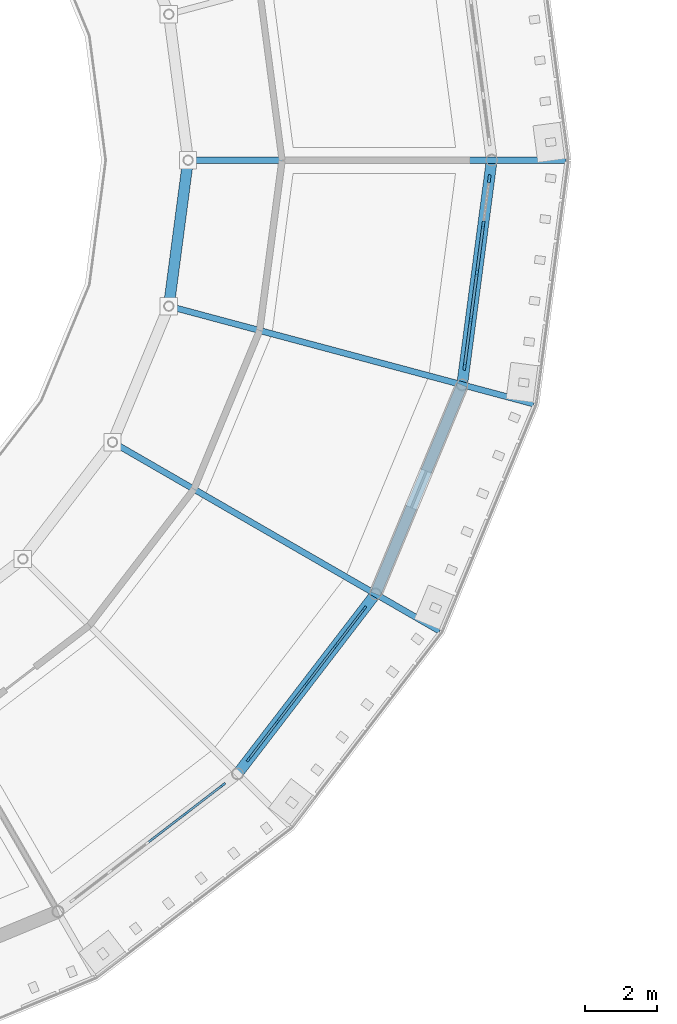
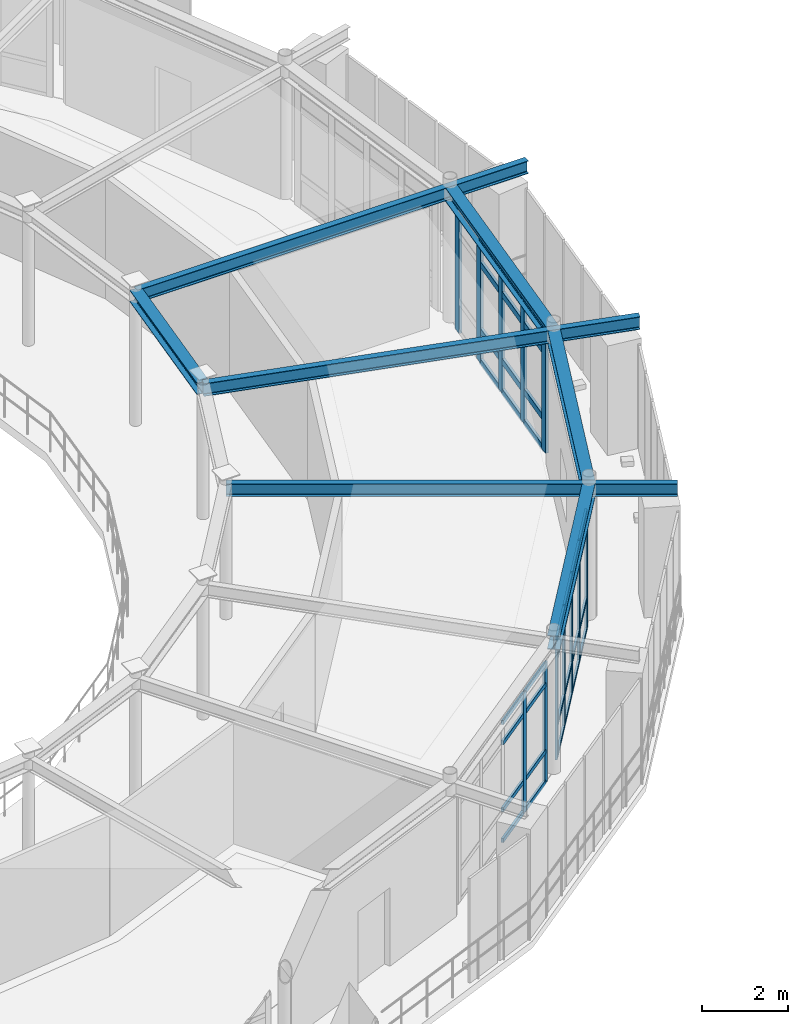
# One storey, part 26 of 70: 48 members, 7 beams, 3 elements without a shape of their own.
"""IFC4 building model written with IfcOpenShell, lengths in metres."""

from ifc_helpers import new_model, si_unit, derived_unit, direction, frame, origin, origin_2d, place, context, subcontext, project, spatial, rectangle, i_section, extrude, material, layer, layer_set, material_profile, profile_set, type_object, element, aggregate, save


model = new_model("IFC4")

# Units and contexts
model_context = context("Model", 3, precision=1e-05, world=origin(), true_north=direction((0.0, 1.0)))
body_context = subcontext(model_context, "Body", "Model", "MODEL_VIEW")
ifc_project = project(units=[si_unit("LENGTHUNIT", "METRE"), si_unit("AREAUNIT", "SQUARE_METRE"), si_unit("VOLUMEUNIT", "CUBIC_METRE"), si_unit("PLANEANGLEUNIT", "RADIAN"), si_unit("MASSUNIT", "GRAM", prefix="KILO"), derived_unit("THERMALTRANSMITTANCEUNIT", [(si_unit("POWERUNIT", "WATT"), 1), (si_unit("AREAUNIT", "SQUARE_METRE"), -1), (si_unit("THERMODYNAMICTEMPERATUREUNIT", "KELVIN"), -1)])], contexts=[model_context])

# Site, building, storey
site_placement = place(None, origin())
site = spatial("IfcSite", under=ifc_project, at=site_placement, CompositionType="ELEMENT")
building_placement = place(site_placement, origin())
building = spatial("IfcBuilding", under=site, at=building_placement, Name="Yasenodar Specialist Clinic", CompositionType="ELEMENT")
storey_placement = place(building_placement, frame((0.0, 0.0, 13.199951171875)))
storey = spatial("IfcBuildingStorey", under=building, at=storey_placement, Name="L03", CompositionType="ELEMENT", Elevation=13.199951171875)

# Beams
ifc_material_1 = material(Name="Steel S355", Category="steel")
ifc_material_profile_1 = material_profile(ifc_material_1, i_section(OverallWidth=0.300048828125, OverallDepth=0.330078125, WebThickness=0.009521484375, FlangeThickness=0.0166015625, FilletRadius=0.027099609375, at=origin_2d()), Name="HEA 340")
ifc_profile_set_1 = profile_set([ifc_material_profile_1], Name="Steel S355")
beam_type_1 = type_object("IfcBeamType", Name="BM-HEA340", PredefinedType="BEAM", material=ifc_profile_set_1)
beam_1_placement = place(storey_placement, frame((96.068359375, 54.762451171875, 3.635009765625), z_axis=(0.130569268018, 0.991439189385, 0.0), x_axis=(-0.991439189385, 0.130569268018, 0.0)))
element("IfcBeam", 1, at=beam_1_placement, inside=storey, type_object=beam_type_1, Name="L03 Drum V1 Inner Ring Beam", PredefinedType="BEAM", context=body_context, shape_type="SweptSolid", body=[
    extrude(i_section(OverallWidth=0.300048828125, OverallDepth=0.330078125, WebThickness=0.009521484375, FlangeThickness=0.0166015625, FilletRadius=0.027099609375, at=origin_2d()), origin(), (0.0, 0.0, 1.0), 4.072509765625),
])
ifc_material_profile_2 = material_profile(ifc_material_1, i_section(OverallWidth=0.300048828125, OverallDepth=0.389892578125, WebThickness=0.010986328125, FlangeThickness=0.01904296875, FilletRadius=0.027099609375, at=origin_2d()), Name="HEA 400")
ifc_profile_set_2 = profile_set([ifc_material_profile_2], Name="Steel S355")
beam_type_2 = type_object("IfcBeamType", Name="BM-HEA400", PredefinedType="BEAM", material=ifc_profile_set_2)
beam_2_placement = place(storey_placement, frame((97.970703125, 41.829345703125, 3.60498046875), z_axis=(0.608742360322, 0.793367971845, 0.0), x_axis=(-0.793367971845, 0.608742360322, 0.0)))
element("IfcBeam", 2, at=beam_2_placement, inside=storey, type_object=beam_type_2, Name="L03 Drum V1 Perimeter Ring Beam", PredefinedType="BEAM", context=body_context, shape_type="SweptSolid", body=[
    extrude(i_section(OverallWidth=0.300048828125, OverallDepth=0.389892578125, WebThickness=0.010986328125, FlangeThickness=0.01904296875, FilletRadius=0.027099609375, at=origin_2d()), origin(), (0.0, 0.0, 1.0), 6.265380859375),
])
beam_3_placement = place(storey_placement, frame((101.78466796875, 46.800048828125, 3.60498046875), z_axis=(0.382663829839, 0.9238876519, 0.0), x_axis=(-0.9238876519, 0.382663829839, 0.0)))
element("IfcBeam", 3, at=beam_3_placement, inside=storey, type_object=beam_type_2, Name="L03 Drum V1 Perimeter Ring Beam", PredefinedType="BEAM", context=body_context, shape_type="SweptSolid", body=[
    extrude(i_section(OverallWidth=0.300048828125, OverallDepth=0.389892578125, WebThickness=0.010986328125, FlangeThickness=0.01904296875, FilletRadius=0.027099609375, at=origin_2d()), origin(), (0.0, 0.0, 1.0), 6.26513671875),
])
beam_4_placement = place(storey_placement, frame((104.18212890625, 52.58837890625, 3.60498046875), z_axis=(0.130540192224, 0.991443018138, 0.0), x_axis=(-0.991443018138, 0.130540192224, 0.0)))
element("IfcBeam", 4, at=beam_4_placement, inside=storey, type_object=beam_type_2, Name="L03 Drum V1 Perimeter Ring Beam", PredefinedType="BEAM", context=body_context, shape_type="SweptSolid", body=[
    extrude(i_section(OverallWidth=0.300048828125, OverallDepth=0.389892578125, WebThickness=0.010986328125, FlangeThickness=0.01904296875, FilletRadius=0.027099609375, at=origin_2d()), origin(), (0.0, 0.0, 1.0), 6.265380859375),
])
ifc_material_profile_3 = material_profile(ifc_material_1, i_section(OverallWidth=0.169921875, OverallDepth=0.360107421875, WebThickness=0.008056640625, FlangeThickness=0.0126953125, FilletRadius=0.01806640625, at=origin_2d()), Name="IPE 360")
ifc_profile_set_3 = profile_set([ifc_material_profile_3], Name="Steel S355")
beam_type_3 = type_object("IfcBeamType", Name="BM-IPE360", PredefinedType="BEAM", material=ifc_profile_set_3)
beam_5_placement = place(storey_placement, frame((96.60009765625, 58.800048828125, 3.6201171875), z_axis=(1.0, 0.0, 0.0), x_axis=(0.0, 1.0, 0.0)))
element("IfcBeam", 5, at=beam_5_placement, inside=storey, type_object=beam_type_3, Name="L03 Drum V1 Radial Back-Spanned Cantilever Beam", PredefinedType="BEAM", context=body_context, shape_type="SweptSolid", body=[
    extrude(i_section(OverallWidth=0.169921875, OverallDepth=0.360107421875, WebThickness=0.008056640625, FlangeThickness=0.0126953125, FilletRadius=0.01806640625, at=origin_2d()), origin(), (0.0, 0.0, 1.0), 10.449951171875),
])
beam_6_placement = place(storey_placement, frame((94.510009765625, 51.0, 3.6201171875), z_axis=(0.86602335148, -0.500003554679, 0.0), x_axis=(0.500003554679, 0.86602335148, 0.0)))
element("IfcBeam", 6, at=beam_6_placement, inside=storey, type_object=beam_type_3, Name="L03 Drum V1 Radial Back-Spanned Cantilever Beam", PredefinedType="BEAM", context=body_context, shape_type="SweptSolid", body=[
    extrude(i_section(OverallWidth=0.169921875, OverallDepth=0.360107421875, WebThickness=0.008056640625, FlangeThickness=0.0126953125, FilletRadius=0.01806640625, at=origin_2d()), origin(), (0.0, 0.0, 1.0), 10.4501953125),
])
beam_7_placement = place(storey_placement, frame((96.068359375, 54.762451171875, 3.6201171875), z_axis=(0.965927925162, -0.258811211874, 0.0), x_axis=(0.258811211874, 0.965927925162, 0.0)))
element("IfcBeam", 7, at=beam_7_placement, inside=storey, type_object=beam_type_3, Name="L03 Drum V1 Radial Back-Spanned Cantilever Beam", PredefinedType="BEAM", context=body_context, shape_type="SweptSolid", body=[
    extrude(i_section(OverallWidth=0.169921875, OverallDepth=0.360107421875, WebThickness=0.008056640625, FlangeThickness=0.0126953125, FilletRadius=0.01806640625, at=origin_2d()), origin(), (0.0, 0.0, 1.0), 10.449951171875),
])

# Curtain wall, members
ifc_material_2 = material(Name="Bronze Anodized Aluminium and Triple Low-E Glass", Category="aluminium")
ifc_layer = layer(ifc_material_2, 0.1669921875)
ifc_layer_set = layer_set([ifc_layer], Name="Bronze Anodized Aluminium and Triple Low-E Glass")
curtain_wall_type = type_object("IfcCurtainWallType", Name="CW-SYS-01", PredefinedType="USERDEFINED", material=ifc_layer_set)
curtain_wall_1_placement = place(storey_placement, origin())
curtain_wall_1 = element("IfcCurtainWall", 8, at=curtain_wall_1_placement, inside=storey, type_object=curtain_wall_type, Name="L03 Unitised Curtain Wall 053", ObjectType="UNITISED CURTAIN WALL", PredefinedType="USERDEFINED")
ifc_material_3 = material(Name="Bronze Anodized Aluminium", Category="aluminium")
ifc_material_profile_4 = material_profile(ifc_material_3, rectangle(XDim=0.06005859375, YDim=0.159912109375, at=origin_2d()), Name="CW-MULL 60x160")
ifc_profile_set_4 = profile_set([ifc_material_profile_4], Name="Bronze Anodized Aluminium")
member_type_1 = type_object("IfcMemberType", Name="CW-MULL-160", PredefinedType="MULLION", material=ifc_profile_set_4)
member_1_placement = place(storey_placement, frame((97.56591796875, 41.51904296875, 0.0), z_axis=(0.0, 0.0, 1.0), x_axis=(0.608752021844, -0.793360558574, 0.0)))
member_1 = element("IfcMember", 9, at=member_1_placement, type_object=member_type_1, Name="CW-01 mullion 1", PredefinedType="MULLION", context=body_context, shape_type="SweptSolid", body=[
    extrude(rectangle(XDim=0.06005859375, YDim=0.159912109375, at=origin_2d()), origin(), (0.0, 0.0, 1.0), 3.387939453125),
])
member_2_placement = place(storey_placement, frame((96.53759765625, 40.729736328125, 0.0), z_axis=(0.0, 0.0, 1.0), x_axis=(0.608752021844, -0.793360558574, 0.0)))
member_2 = element("IfcMember", 10, at=member_2_placement, type_object=member_type_1, Name="CW-01 mullion 2", PredefinedType="MULLION", context=body_context, shape_type="SweptSolid", body=[
    extrude(rectangle(XDim=0.06005859375, YDim=0.159912109375, at=origin_2d()), origin(), (0.0, 0.0, 1.0), 3.387939453125),
])

curtain_wall_2_placement = place(storey_placement, origin())
curtain_wall_2 = element("IfcCurtainWall", 11, at=curtain_wall_2_placement, inside=storey, type_object=curtain_wall_type, Name="L03 Unitised Curtain Wall 054", ObjectType="UNITISED CURTAIN WALL", PredefinedType="USERDEFINED")
member_3_placement = place(storey_placement, frame((101.47412109375, 46.3955078125, 0.0), z_axis=(0.0, 0.0, 1.0), x_axis=(0.793360558574, -0.608752021844, 0.0)))
member_3 = element("IfcMember", 12, at=member_3_placement, type_object=member_type_1, Name="CW-01 mullion 1", PredefinedType="MULLION", context=body_context, shape_type="SweptSolid", body=[
    extrude(rectangle(XDim=0.06005859375, YDim=0.159912109375, at=origin_2d()), origin(), (0.0, 0.0, 1.0), 3.387939453125),
])
member_4_placement = place(storey_placement, frame((100.68505859375, 45.366943359375, 0.0), z_axis=(0.0, 0.0, 1.0), x_axis=(0.793360558574, -0.608752021844, 0.0)))
member_4 = element("IfcMember", 13, at=member_4_placement, type_object=member_type_1, Name="CW-01 mullion 2", PredefinedType="MULLION", context=body_context, shape_type="SweptSolid", body=[
    extrude(rectangle(XDim=0.06005859375, YDim=0.159912109375, at=origin_2d()), origin(), (0.0, 0.0, 1.0), 3.387939453125),
])
member_5_placement = place(storey_placement, frame((99.877685546875, 44.314697265625, 0.0), z_axis=(0.0, 0.0, 1.0), x_axis=(0.793360558574, -0.608752021844, 0.0)))
member_5 = element("IfcMember", 14, at=member_5_placement, type_object=member_type_1, Name="CW-01 mullion 3", PredefinedType="MULLION", context=body_context, shape_type="SweptSolid", body=[
    extrude(rectangle(XDim=0.06005859375, YDim=0.159912109375, at=origin_2d()), origin(), (0.0, 0.0, 1.0), 3.387939453125),
])
member_6_placement = place(storey_placement, frame((99.0703125, 43.262451171875, 0.0), z_axis=(0.0, 0.0, 1.0), x_axis=(0.793360558574, -0.608752021844, 0.0)))
member_6 = element("IfcMember", 15, at=member_6_placement, type_object=member_type_1, Name="CW-01 mullion 4", PredefinedType="MULLION", context=body_context, shape_type="SweptSolid", body=[
    extrude(rectangle(XDim=0.06005859375, YDim=0.159912109375, at=origin_2d()), origin(), (0.0, 0.0, 1.0), 3.387939453125),
])
member_7_placement = place(storey_placement, frame((98.281005859375, 42.23388671875, 0.0), z_axis=(0.0, 0.0, 1.0), x_axis=(0.793360558574, -0.608752021844, 0.0)))
member_7 = element("IfcMember", 16, at=member_7_placement, type_object=member_type_1, Name="CW-01 mullion 5", PredefinedType="MULLION", context=body_context, shape_type="SweptSolid", body=[
    extrude(rectangle(XDim=0.06005859375, YDim=0.159912109375, at=origin_2d()), origin(), (0.0, 0.0, 1.0), 3.387939453125),
])

curtain_wall_3_placement = place(storey_placement, origin())
curtain_wall_3 = element("IfcCurtainWall", 17, at=curtain_wall_3_placement, inside=storey, type_object=curtain_wall_type, Name="L03 Unitised Curtain Wall 055", ObjectType="UNITISED CURTAIN WALL", PredefinedType="USERDEFINED")
ifc_material_profile_5 = material_profile(ifc_material_3, rectangle(XDim=0.074951171875, YDim=0.22509765625, at=origin_2d()), Name="CW-MULL 75x225")
ifc_profile_set_5 = profile_set([ifc_material_profile_5], Name="Bronze Anodized Aluminium")
member_type_2 = type_object("IfcMemberType", Name="CW-MULL-225", PredefinedType="MULLION", material=ifc_profile_set_5)
member_8_placement = place(storey_placement, frame((104.932373046875, 58.286865234375, 0.0), z_axis=(0.0, 0.0, 1.0), x_axis=(0.991446787601, -0.13051156024, 0.0)))
member_8 = element("IfcMember", 18, at=member_8_placement, type_object=member_type_2, Name="CW-01 mullion 1", PredefinedType="MULLION", context=body_context, shape_type="SweptSolid", body=[
    extrude(rectangle(XDim=0.074951171875, YDim=0.22509765625, at=origin_2d()), origin(), (0.0, 0.0, 1.0), 3.387939453125),
])
member_9_placement = place(storey_placement, frame((104.76416015625, 57.009033203125, 0.0), z_axis=(0.0, 0.0, 1.0), x_axis=(0.991446787601, -0.13051156024, 0.0)))
member_9 = element("IfcMember", 19, at=member_9_placement, type_object=member_type_2, Name="CW-01 mullion 2", PredefinedType="MULLION", context=body_context, shape_type="SweptSolid", body=[
    extrude(rectangle(XDim=0.074951171875, YDim=0.22509765625, at=origin_2d()), origin(), (0.0, 0.0, 1.0), 3.387939453125),
])
member_10_placement = place(storey_placement, frame((104.591064453125, 55.694091796875, 0.0), z_axis=(0.0, 0.0, 1.0), x_axis=(0.991446787601, -0.13051156024, 0.0)))
member_10 = element("IfcMember", 20, at=member_10_placement, type_object=member_type_2, Name="CW-01 mullion 3", PredefinedType="MULLION", context=body_context, shape_type="SweptSolid", body=[
    extrude(rectangle(XDim=0.074951171875, YDim=0.22509765625, at=origin_2d()), origin(), (0.0, 0.0, 1.0), 3.387939453125),
])
member_11_placement = place(storey_placement, frame((104.41796875, 54.379150390625, 0.0), z_axis=(0.0, 0.0, 1.0), x_axis=(0.991446787601, -0.13051156024, 0.0)))
member_11 = element("IfcMember", 21, at=member_11_placement, type_object=member_type_2, Name="CW-01 mullion 4", PredefinedType="MULLION", context=body_context, shape_type="SweptSolid", body=[
    extrude(rectangle(XDim=0.074951171875, YDim=0.22509765625, at=origin_2d()), origin(), (0.0, 0.0, 1.0), 3.387939453125),
])
member_12_placement = place(storey_placement, frame((104.249755859375, 53.101318359375, 0.0), z_axis=(0.0, 0.0, 1.0), x_axis=(0.991446787601, -0.13051156024, 0.0)))
member_12 = element("IfcMember", 22, at=member_12_placement, type_object=member_type_2, Name="CW-01 mullion 5", PredefinedType="MULLION", context=body_context, shape_type="SweptSolid", body=[
    extrude(rectangle(XDim=0.074951171875, YDim=0.22509765625, at=origin_2d()), origin(), (0.0, 0.0, 1.0), 3.387939453125),
])

# Member
ifc_material_profile_6 = material_profile(ifc_material_3, rectangle(XDim=0.06005859375, YDim=0.1201171875, at=origin_2d()), Name="CW-TRAN 60x120")
ifc_profile_set_6 = profile_set([ifc_material_profile_6], Name="Bronze Anodized Aluminium")
member_type_3 = type_object("IfcMemberType", Name="CW-TRAN-120", PredefinedType="USERDEFINED", material=ifc_profile_set_6)
member_13_placement = place(storey_placement, frame((97.542236328125, 41.500732421875, 0.030029296875), z_axis=(-0.793364768151, -0.608746535642, 0.0), x_axis=(0.608746535642, -0.793364768151, 0.0)))
member_13 = element("IfcMember", 23, at=member_13_placement, type_object=member_type_3, Name="CW-01 transom 1.1", ObjectType="TRANSOM", PredefinedType="USERDEFINED", context=body_context, shape_type="SweptSolid", body=[
    extrude(rectangle(XDim=0.06005859375, YDim=0.1201171875, at=origin_2d()), origin(), (0.0, 0.0, 1.0), 1.236572265625),
])

member_14_placement = place(storey_placement, frame((97.542236328125, 41.500732421875, 0.900146484375), z_axis=(-0.793364768151, -0.608746535642, 0.0), x_axis=(0.608746535642, -0.793364768151, 0.0)))
member_14 = element("IfcMember", 24, at=member_14_placement, type_object=member_type_3, Name="CW-01 transom 1.2", ObjectType="TRANSOM", PredefinedType="USERDEFINED", context=body_context, shape_type="SweptSolid", body=[
    extrude(rectangle(XDim=0.06005859375, YDim=0.1201171875, at=origin_2d()), origin(), (0.0, 0.0, 1.0), 1.236572265625),
])

member_15_placement = place(storey_placement, frame((97.542236328125, 41.500732421875, 2.7880859375), z_axis=(-0.793364768151, -0.608746535642, 0.0), x_axis=(0.608746535642, -0.793364768151, 0.0)))
member_15 = element("IfcMember", 25, at=member_15_placement, type_object=member_type_3, Name="CW-01 transom 1.3", ObjectType="TRANSOM", PredefinedType="USERDEFINED", context=body_context, shape_type="SweptSolid", body=[
    extrude(rectangle(XDim=0.06005859375, YDim=0.1201171875, at=origin_2d()), origin(), (0.0, 0.0, 1.0), 1.236572265625),
])

member_16_placement = place(storey_placement, frame((97.542236328125, 41.500732421875, 3.358154296875), z_axis=(-0.793364768151, -0.608746535642, 0.0), x_axis=(0.608746535642, -0.793364768151, 0.0)))
member_16 = element("IfcMember", 26, at=member_16_placement, type_object=member_type_3, Name="CW-01 transom 1.4", ObjectType="TRANSOM", PredefinedType="USERDEFINED", context=body_context, shape_type="SweptSolid", body=[
    extrude(rectangle(XDim=0.06005859375, YDim=0.1201171875, at=origin_2d()), origin(), (0.0, 0.0, 1.0), 1.236572265625),
])

member_17_placement = place(storey_placement, frame((96.513671875, 40.71142578125, 0.030029296875), z_axis=(-0.793404604701, -0.608694614104, 0.0), x_axis=(0.608694614104, -0.793404604701, 0.0)))
member_17 = element("IfcMember", 27, at=member_17_placement, type_object=member_type_3, Name="CW-01 transom 2.1", ObjectType="TRANSOM", PredefinedType="USERDEFINED", context=body_context, shape_type="SweptSolid", body=[
    extrude(rectangle(XDim=0.06005859375, YDim=0.1201171875, at=origin_2d()), origin(), (0.0, 0.0, 1.0), 1.266357421875),
])

member_18_placement = place(storey_placement, frame((96.513671875, 40.71142578125, 0.900146484375), z_axis=(-0.793404604701, -0.608694614104, 0.0), x_axis=(0.608694614104, -0.793404604701, 0.0)))
member_18 = element("IfcMember", 28, at=member_18_placement, type_object=member_type_3, Name="CW-01 transom 2.2", ObjectType="TRANSOM", PredefinedType="USERDEFINED", context=body_context, shape_type="SweptSolid", body=[
    extrude(rectangle(XDim=0.06005859375, YDim=0.1201171875, at=origin_2d()), origin(), (0.0, 0.0, 1.0), 1.266357421875),
])

member_19_placement = place(storey_placement, frame((96.513671875, 40.71142578125, 2.7880859375), z_axis=(-0.793404604701, -0.608694614104, 0.0), x_axis=(0.608694614104, -0.793404604701, 0.0)))
member_19 = element("IfcMember", 29, at=member_19_placement, type_object=member_type_3, Name="CW-01 transom 2.3", ObjectType="TRANSOM", PredefinedType="USERDEFINED", context=body_context, shape_type="SweptSolid", body=[
    extrude(rectangle(XDim=0.06005859375, YDim=0.1201171875, at=origin_2d()), origin(), (0.0, 0.0, 1.0), 1.266357421875),
])

member_20_placement = place(storey_placement, frame((96.513671875, 40.71142578125, 3.358154296875), z_axis=(-0.793404604701, -0.608694614104, 0.0), x_axis=(0.608694614104, -0.793404604701, 0.0)))
member_20 = element("IfcMember", 30, at=member_20_placement, type_object=member_type_3, Name="CW-01 transom 2.4", ObjectType="TRANSOM", PredefinedType="USERDEFINED", context=body_context, shape_type="SweptSolid", body=[
    extrude(rectangle(XDim=0.06005859375, YDim=0.1201171875, at=origin_2d()), origin(), (0.0, 0.0, 1.0), 1.266357421875),
])

aggregate(curtain_wall_1, [member_1, member_2, member_13, member_14, member_15, member_16, member_17, member_18, member_19, member_20])

member_21_placement = place(storey_placement, frame((101.455810546875, 46.37158203125, 0.030029296875), z_axis=(-0.608717606417, -0.793386964626, 0.0), x_axis=(0.793386964626, -0.608717606417, 0.0)))
member_21 = element("IfcMember", 31, at=member_21_placement, type_object=member_type_3, Name="CW-01 transom 1.1", ObjectType="TRANSOM", PredefinedType="USERDEFINED", context=body_context, shape_type="SweptSolid", body=[
    extrude(rectangle(XDim=0.06005859375, YDim=0.1201171875, at=origin_2d()), origin(), (0.0, 0.0, 1.0), 1.236083984375),
])

member_22_placement = place(storey_placement, frame((101.455810546875, 46.37158203125, 0.900146484375), z_axis=(-0.608717606417, -0.793386964626, 0.0), x_axis=(0.793386964626, -0.608717606417, 0.0)))
member_22 = element("IfcMember", 32, at=member_22_placement, type_object=member_type_3, Name="CW-01 transom 1.2", ObjectType="TRANSOM", PredefinedType="USERDEFINED", context=body_context, shape_type="SweptSolid", body=[
    extrude(rectangle(XDim=0.06005859375, YDim=0.1201171875, at=origin_2d()), origin(), (0.0, 0.0, 1.0), 1.236083984375),
])

member_23_placement = place(storey_placement, frame((101.455810546875, 46.37158203125, 2.7880859375), z_axis=(-0.608717606417, -0.793386964626, 0.0), x_axis=(0.793386964626, -0.608717606417, 0.0)))
member_23 = element("IfcMember", 33, at=member_23_placement, type_object=member_type_3, Name="CW-01 transom 1.3", ObjectType="TRANSOM", PredefinedType="USERDEFINED", context=body_context, shape_type="SweptSolid", body=[
    extrude(rectangle(XDim=0.06005859375, YDim=0.1201171875, at=origin_2d()), origin(), (0.0, 0.0, 1.0), 1.236083984375),
])

member_24_placement = place(storey_placement, frame((101.455810546875, 46.37158203125, 3.358154296875), z_axis=(-0.608717606417, -0.793386964626, 0.0), x_axis=(0.793386964626, -0.608717606417, 0.0)))
member_24 = element("IfcMember", 34, at=member_24_placement, type_object=member_type_3, Name="CW-01 transom 1.4", ObjectType="TRANSOM", PredefinedType="USERDEFINED", context=body_context, shape_type="SweptSolid", body=[
    extrude(rectangle(XDim=0.06005859375, YDim=0.1201171875, at=origin_2d()), origin(), (0.0, 0.0, 1.0), 1.236083984375),
])

member_25_placement = place(storey_placement, frame((100.666748046875, 45.34326171875, 0.030029296875), z_axis=(-0.608722862036, -0.793382932281, 0.0), x_axis=(0.793382932281, -0.608722862036, 0.0)))
member_25 = element("IfcMember", 35, at=member_25_placement, type_object=member_type_3, Name="CW-01 transom 2.1", ObjectType="TRANSOM", PredefinedType="USERDEFINED", context=body_context, shape_type="SweptSolid", body=[
    extrude(rectangle(XDim=0.06005859375, YDim=0.1201171875, at=origin_2d()), origin(), (0.0, 0.0, 1.0), 1.2666015625),
])

member_26_placement = place(storey_placement, frame((100.666748046875, 45.34326171875, 0.900146484375), z_axis=(-0.608722862036, -0.793382932281, 0.0), x_axis=(0.793382932281, -0.608722862036, 0.0)))
member_26 = element("IfcMember", 36, at=member_26_placement, type_object=member_type_3, Name="CW-01 transom 2.2", ObjectType="TRANSOM", PredefinedType="USERDEFINED", context=body_context, shape_type="SweptSolid", body=[
    extrude(rectangle(XDim=0.06005859375, YDim=0.1201171875, at=origin_2d()), origin(), (0.0, 0.0, 1.0), 1.2666015625),
])

member_27_placement = place(storey_placement, frame((100.666748046875, 45.34326171875, 2.7880859375), z_axis=(-0.608722862036, -0.793382932281, 0.0), x_axis=(0.793382932281, -0.608722862036, 0.0)))
member_27 = element("IfcMember", 37, at=member_27_placement, type_object=member_type_3, Name="CW-01 transom 2.3", ObjectType="TRANSOM", PredefinedType="USERDEFINED", context=body_context, shape_type="SweptSolid", body=[
    extrude(rectangle(XDim=0.06005859375, YDim=0.1201171875, at=origin_2d()), origin(), (0.0, 0.0, 1.0), 1.2666015625),
])

member_28_placement = place(storey_placement, frame((100.666748046875, 45.34326171875, 3.358154296875), z_axis=(-0.608722862036, -0.793382932281, 0.0), x_axis=(0.793382932281, -0.608722862036, 0.0)))
member_28 = element("IfcMember", 38, at=member_28_placement, type_object=member_type_3, Name="CW-01 transom 2.4", ObjectType="TRANSOM", PredefinedType="USERDEFINED", context=body_context, shape_type="SweptSolid", body=[
    extrude(rectangle(XDim=0.06005859375, YDim=0.1201171875, at=origin_2d()), origin(), (0.0, 0.0, 1.0), 1.2666015625),
])

member_29_placement = place(storey_placement, frame((99.859375, 44.291015625, 0.030029296875), z_axis=(-0.608722862036, -0.793382932281, 0.0), x_axis=(0.793382932281, -0.608722862036, 0.0)))
member_29 = element("IfcMember", 39, at=member_29_placement, type_object=member_type_3, Name="CW-01 transom 3.1", ObjectType="TRANSOM", PredefinedType="USERDEFINED", context=body_context, shape_type="SweptSolid", body=[
    extrude(rectangle(XDim=0.06005859375, YDim=0.1201171875, at=origin_2d()), origin(), (0.0, 0.0, 1.0), 1.2666015625),
])

member_30_placement = place(storey_placement, frame((99.859375, 44.291015625, 0.900146484375), z_axis=(-0.608722862036, -0.793382932281, 0.0), x_axis=(0.793382932281, -0.608722862036, 0.0)))
member_30 = element("IfcMember", 40, at=member_30_placement, type_object=member_type_3, Name="CW-01 transom 3.2", ObjectType="TRANSOM", PredefinedType="USERDEFINED", context=body_context, shape_type="SweptSolid", body=[
    extrude(rectangle(XDim=0.06005859375, YDim=0.1201171875, at=origin_2d()), origin(), (0.0, 0.0, 1.0), 1.2666015625),
])

member_31_placement = place(storey_placement, frame((99.859375, 44.291015625, 2.7880859375), z_axis=(-0.608722862036, -0.793382932281, 0.0), x_axis=(0.793382932281, -0.608722862036, 0.0)))
member_31 = element("IfcMember", 41, at=member_31_placement, type_object=member_type_3, Name="CW-01 transom 3.3", ObjectType="TRANSOM", PredefinedType="USERDEFINED", context=body_context, shape_type="SweptSolid", body=[
    extrude(rectangle(XDim=0.06005859375, YDim=0.1201171875, at=origin_2d()), origin(), (0.0, 0.0, 1.0), 1.2666015625),
])

member_32_placement = place(storey_placement, frame((99.859375, 44.291015625, 3.358154296875), z_axis=(-0.608722862036, -0.793382932281, 0.0), x_axis=(0.793382932281, -0.608722862036, 0.0)))
member_32 = element("IfcMember", 42, at=member_32_placement, type_object=member_type_3, Name="CW-01 transom 3.4", ObjectType="TRANSOM", PredefinedType="USERDEFINED", context=body_context, shape_type="SweptSolid", body=[
    extrude(rectangle(XDim=0.06005859375, YDim=0.1201171875, at=origin_2d()), origin(), (0.0, 0.0, 1.0), 1.2666015625),
])

member_33_placement = place(storey_placement, frame((99.052001953125, 43.23876953125, 0.030029296875), z_axis=(-0.608746535642, -0.793364768151, 0.0), x_axis=(0.793364768151, -0.608746535642, 0.0)))
member_33 = element("IfcMember", 43, at=member_33_placement, type_object=member_type_3, Name="CW-01 transom 4.1", ObjectType="TRANSOM", PredefinedType="USERDEFINED", context=body_context, shape_type="SweptSolid", body=[
    extrude(rectangle(XDim=0.06005859375, YDim=0.1201171875, at=origin_2d()), origin(), (0.0, 0.0, 1.0), 1.236572265625),
])

member_34_placement = place(storey_placement, frame((99.052001953125, 43.23876953125, 0.900146484375), z_axis=(-0.608746535642, -0.793364768151, 0.0), x_axis=(0.793364768151, -0.608746535642, 0.0)))
member_34 = element("IfcMember", 44, at=member_34_placement, type_object=member_type_3, Name="CW-01 transom 4.2", ObjectType="TRANSOM", PredefinedType="USERDEFINED", context=body_context, shape_type="SweptSolid", body=[
    extrude(rectangle(XDim=0.06005859375, YDim=0.1201171875, at=origin_2d()), origin(), (0.0, 0.0, 1.0), 1.236572265625),
])

member_35_placement = place(storey_placement, frame((99.052001953125, 43.23876953125, 2.7880859375), z_axis=(-0.608746535642, -0.793364768151, 0.0), x_axis=(0.793364768151, -0.608746535642, 0.0)))
member_35 = element("IfcMember", 45, at=member_35_placement, type_object=member_type_3, Name="CW-01 transom 4.3", ObjectType="TRANSOM", PredefinedType="USERDEFINED", context=body_context, shape_type="SweptSolid", body=[
    extrude(rectangle(XDim=0.06005859375, YDim=0.1201171875, at=origin_2d()), origin(), (0.0, 0.0, 1.0), 1.236572265625),
])

member_36_placement = place(storey_placement, frame((99.052001953125, 43.23876953125, 3.358154296875), z_axis=(-0.608746535642, -0.793364768151, 0.0), x_axis=(0.793364768151, -0.608746535642, 0.0)))
member_36 = element("IfcMember", 46, at=member_36_placement, type_object=member_type_3, Name="CW-01 transom 4.4", ObjectType="TRANSOM", PredefinedType="USERDEFINED", context=body_context, shape_type="SweptSolid", body=[
    extrude(rectangle(XDim=0.06005859375, YDim=0.1201171875, at=origin_2d()), origin(), (0.0, 0.0, 1.0), 1.236572265625),
])

aggregate(curtain_wall_2, [member_3, member_4, member_5, member_6, member_7, member_21, member_22, member_23, member_24, member_25, member_26, member_27, member_28, member_29, member_30, member_31, member_32, member_33, member_34, member_35, member_36])

ifc_material_profile_7 = material_profile(ifc_material_3, rectangle(XDim=0.074951171875, YDim=0.175048828125, at=origin_2d()), Name="CW-TRAN 75x175")
ifc_profile_set_7 = profile_set([ifc_material_profile_7], Name="Bronze Anodized Aluminium")
member_type_4 = type_object("IfcMemberType", Name="CW-TRAN-175", PredefinedType="USERDEFINED", material=ifc_profile_set_7)
member_37_placement = place(storey_placement, frame((104.75927734375, 56.971923828125, 0.03759765625), z_axis=(-0.130540320379, -0.991443001264, 0.0), x_axis=(0.991443001264, -0.130540320379, 0.0)))
member_37 = element("IfcMember", 47, at=member_37_placement, type_object=member_type_4, Name="CW-01 transom 2.1", ObjectType="TRANSOM", PredefinedType="USERDEFINED", context=body_context, shape_type="SweptSolid", body=[
    extrude(rectangle(XDim=0.074951171875, YDim=0.175048828125, at=origin_2d()), origin(), (0.0, 0.0, 1.0), 1.251220703125),
])

member_38_placement = place(storey_placement, frame((104.75927734375, 56.971923828125, 0.900146484375), z_axis=(-0.130540320379, -0.991443001264, 0.0), x_axis=(0.991443001264, -0.130540320379, 0.0)))
member_38 = element("IfcMember", 48, at=member_38_placement, type_object=member_type_4, Name="CW-01 transom 2.2", ObjectType="TRANSOM", PredefinedType="USERDEFINED", context=body_context, shape_type="SweptSolid", body=[
    extrude(rectangle(XDim=0.074951171875, YDim=0.175048828125, at=origin_2d()), origin(), (0.0, 0.0, 1.0), 1.251220703125),
])

member_39_placement = place(storey_placement, frame((104.75927734375, 56.971923828125, 2.7880859375), z_axis=(-0.130540320379, -0.991443001264, 0.0), x_axis=(0.991443001264, -0.130540320379, 0.0)))
member_39 = element("IfcMember", 49, at=member_39_placement, type_object=member_type_4, Name="CW-01 transom 2.3", ObjectType="TRANSOM", PredefinedType="USERDEFINED", context=body_context, shape_type="SweptSolid", body=[
    extrude(rectangle(XDim=0.074951171875, YDim=0.175048828125, at=origin_2d()), origin(), (0.0, 0.0, 1.0), 1.251220703125),
])

member_40_placement = place(storey_placement, frame((104.75927734375, 56.971923828125, 3.3505859375), z_axis=(-0.130540320379, -0.991443001264, 0.0), x_axis=(0.991443001264, -0.130540320379, 0.0)))
member_40 = element("IfcMember", 50, at=member_40_placement, type_object=member_type_4, Name="CW-01 transom 2.4", ObjectType="TRANSOM", PredefinedType="USERDEFINED", context=body_context, shape_type="SweptSolid", body=[
    extrude(rectangle(XDim=0.074951171875, YDim=0.175048828125, at=origin_2d()), origin(), (0.0, 0.0, 1.0), 1.251220703125),
])

member_41_placement = place(storey_placement, frame((104.586181640625, 55.656982421875, 0.03759765625), z_axis=(-0.130515071174, -0.991446325424, 0.0), x_axis=(0.991446325424, -0.130515071174, 0.0)))
member_41 = element("IfcMember", 51, at=member_41_placement, type_object=member_type_4, Name="CW-01 transom 3.1", ObjectType="TRANSOM", PredefinedType="USERDEFINED", context=body_context, shape_type="SweptSolid", body=[
    extrude(rectangle(XDim=0.074951171875, YDim=0.175048828125, at=origin_2d()), origin(), (0.0, 0.0, 1.0), 1.25146484375),
])

member_42_placement = place(storey_placement, frame((104.586181640625, 55.656982421875, 0.900146484375), z_axis=(-0.130515071174, -0.991446325424, 0.0), x_axis=(0.991446325424, -0.130515071174, 0.0)))
member_42 = element("IfcMember", 52, at=member_42_placement, type_object=member_type_4, Name="CW-01 transom 3.2", ObjectType="TRANSOM", PredefinedType="USERDEFINED", context=body_context, shape_type="SweptSolid", body=[
    extrude(rectangle(XDim=0.074951171875, YDim=0.175048828125, at=origin_2d()), origin(), (0.0, 0.0, 1.0), 1.25146484375),
])

member_43_placement = place(storey_placement, frame((104.586181640625, 55.656982421875, 2.7880859375), z_axis=(-0.130515071174, -0.991446325424, 0.0), x_axis=(0.991446325424, -0.130515071174, 0.0)))
member_43 = element("IfcMember", 53, at=member_43_placement, type_object=member_type_4, Name="CW-01 transom 3.3", ObjectType="TRANSOM", PredefinedType="USERDEFINED", context=body_context, shape_type="SweptSolid", body=[
    extrude(rectangle(XDim=0.074951171875, YDim=0.175048828125, at=origin_2d()), origin(), (0.0, 0.0, 1.0), 1.25146484375),
])

member_44_placement = place(storey_placement, frame((104.586181640625, 55.656982421875, 3.3505859375), z_axis=(-0.130515071174, -0.991446325424, 0.0), x_axis=(0.991446325424, -0.130515071174, 0.0)))
member_44 = element("IfcMember", 54, at=member_44_placement, type_object=member_type_4, Name="CW-01 transom 3.4", ObjectType="TRANSOM", PredefinedType="USERDEFINED", context=body_context, shape_type="SweptSolid", body=[
    extrude(rectangle(XDim=0.074951171875, YDim=0.175048828125, at=origin_2d()), origin(), (0.0, 0.0, 1.0), 1.25146484375),
])

member_45_placement = place(storey_placement, frame((104.4130859375, 54.342041015625, 0.03759765625), z_axis=(-0.130542966465, -0.991442652858, 0.0), x_axis=(0.991442652858, -0.130542966465, 0.0)))
member_45 = element("IfcMember", 55, at=member_45_placement, type_object=member_type_4, Name="CW-01 transom 4.1", ObjectType="TRANSOM", PredefinedType="USERDEFINED", context=body_context, shape_type="SweptSolid", body=[
    extrude(rectangle(XDim=0.074951171875, YDim=0.175048828125, at=origin_2d()), origin(), (0.0, 0.0, 1.0), 1.2138671875),
])

member_46_placement = place(storey_placement, frame((104.4130859375, 54.342041015625, 0.900146484375), z_axis=(-0.130542966465, -0.991442652858, 0.0), x_axis=(0.991442652858, -0.130542966465, 0.0)))
member_46 = element("IfcMember", 56, at=member_46_placement, type_object=member_type_4, Name="CW-01 transom 4.2", ObjectType="TRANSOM", PredefinedType="USERDEFINED", context=body_context, shape_type="SweptSolid", body=[
    extrude(rectangle(XDim=0.074951171875, YDim=0.175048828125, at=origin_2d()), origin(), (0.0, 0.0, 1.0), 1.2138671875),
])

member_47_placement = place(storey_placement, frame((104.4130859375, 54.342041015625, 2.7880859375), z_axis=(-0.130542966465, -0.991442652858, 0.0), x_axis=(0.991442652858, -0.130542966465, 0.0)))
member_47 = element("IfcMember", 57, at=member_47_placement, type_object=member_type_4, Name="CW-01 transom 4.3", ObjectType="TRANSOM", PredefinedType="USERDEFINED", context=body_context, shape_type="SweptSolid", body=[
    extrude(rectangle(XDim=0.074951171875, YDim=0.175048828125, at=origin_2d()), origin(), (0.0, 0.0, 1.0), 1.2138671875),
])

member_48_placement = place(storey_placement, frame((104.4130859375, 54.342041015625, 3.3505859375), z_axis=(-0.130542966465, -0.991442652858, 0.0), x_axis=(0.991442652858, -0.130542966465, 0.0)))
member_48 = element("IfcMember", 58, at=member_48_placement, type_object=member_type_4, Name="CW-01 transom 4.4", ObjectType="TRANSOM", PredefinedType="USERDEFINED", context=body_context, shape_type="SweptSolid", body=[
    extrude(rectangle(XDim=0.074951171875, YDim=0.175048828125, at=origin_2d()), origin(), (0.0, 0.0, 1.0), 1.2138671875),
])

aggregate(curtain_wall_3, [member_8, member_9, member_10, member_11, member_12, member_37, member_38, member_39, member_40, member_41, member_42, member_43, member_44, member_45, member_46, member_47, member_48])

save(model, "model.ifc")
